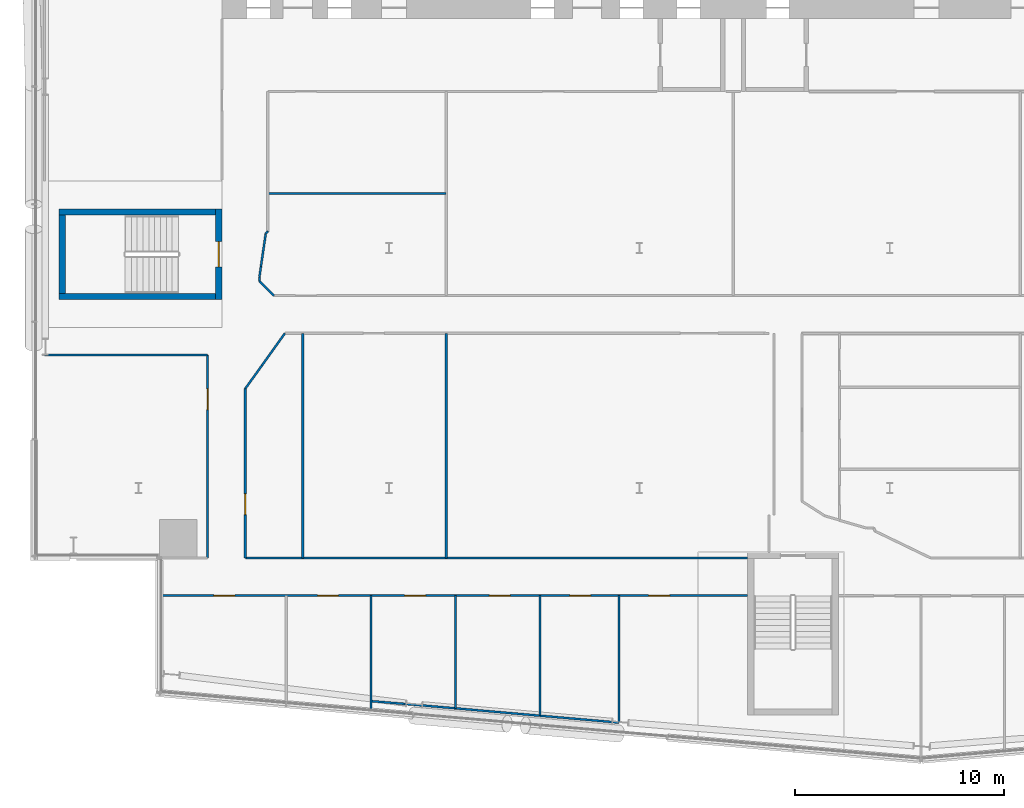
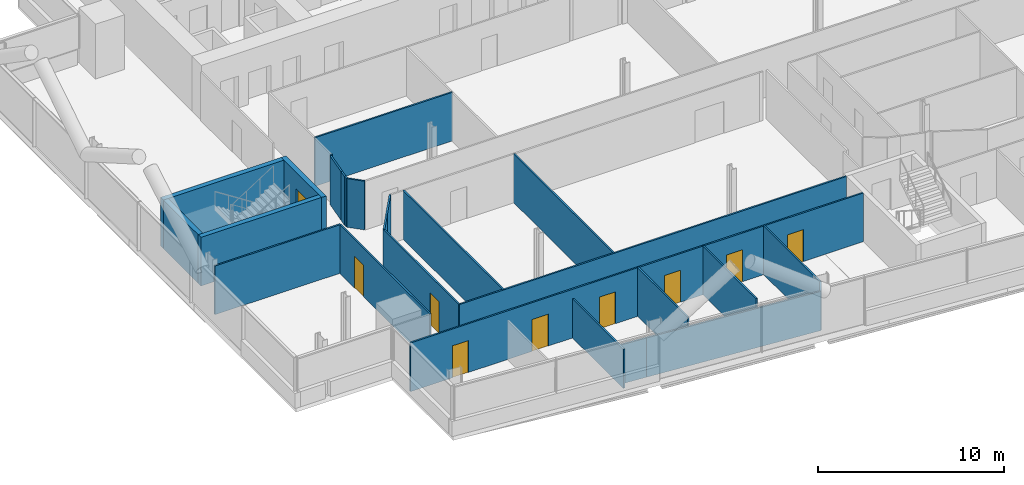
# One storey, part 14 of 27: 25 walls, 9 doors, 9 openings.
"""IFC4 building model written with IfcOpenShell, lengths in metres."""

from ifc_helpers import new_model, si_unit, direction, frame, frame_2d, origin, place, context, subcontext, project, spatial, rectangle, extrude, material, layer, layer_set, type_object, element, fill, save


model = new_model("IFC4")

# Units and contexts
model_context = context("Model", 3, precision=1e-05, world=origin(), true_north=direction((0.0, 1.0)))
body_context = subcontext(model_context, "Body", "Model", "MODEL_VIEW")
ifc_project = project(units=[si_unit("LENGTHUNIT", "METRE"), si_unit("AREAUNIT", "SQUARE_METRE"), si_unit("VOLUMEUNIT", "CUBIC_METRE"), si_unit("PLANEANGLEUNIT", "RADIAN"), si_unit("MASSUNIT", "GRAM", prefix="KILO")], contexts=[model_context])

# Site, building, storey
site_placement = place(None, origin())
site = spatial("IfcSite", under=ifc_project, at=site_placement, CompositionType="ELEMENT")
building_placement = place(site_placement, origin())
building = spatial("IfcBuilding", under=site, at=building_placement, Name="Wharfspan Tower", CompositionType="ELEMENT")
storey_placement = place(building_placement, frame((0.0, 0.0, 136.300049)))
storey = spatial("IfcBuildingStorey", under=building, at=storey_placement, Name="L32", CompositionType="ELEMENT", Elevation=136.300049)

# Wall
ifc_material_1 = material(Name="Gypsum board on steel studs", Category="steel")
ifc_layer_1 = layer(ifc_material_1, 0.100098)
ifc_layer_set_1 = layer_set([ifc_layer_1], Name="Gypsum board on steel studs")
wall_type_1 = type_object("IfcWallType", Name="Compartment wall 100 EI 60", PredefinedType="PARTITIONING", material=ifc_layer_set_1)
wall_1_placement = place(storey_placement, frame((7.51001, 17.86499, 0.0), z_axis=(0.0, 0.0, 1.0), x_axis=(1.0, 0.0, 0.0)))
element("IfcWall", 1, at=wall_1_placement, inside=storey, type_object=wall_type_1, Name="Partition L32.w001", PredefinedType="PARTITIONING", context=body_context, shape_type="SweptSolid", body=[
    extrude(rectangle(XDim=7.810059, YDim=0.100098, at=frame_2d((3.905029, 0.0))), origin(), (0.0, 0.0, 1.0), 3.199951),
])

# Wall, openings, doors
wall_2_placement = place(storey_placement, frame((13.02002, 6.344971, 0.0), z_axis=(0.0, 0.0, 1.0), x_axis=(1.0, 0.0, 0.0)))
wall_2 = element("IfcWall", 2, at=wall_2_placement, inside=storey, type_object=wall_type_1, Name="Partition L32.w003", PredefinedType="PARTITIONING", context=body_context, shape_type="SweptSolid", body=[
    extrude(rectangle(XDim=28.165283, YDim=0.100098, at=frame_2d((14.08252, 0.0))), origin(), (0.0, 0.0, 1.0), 3.199951),
])
opening_1_placement = place(wall_2_placement, frame((2.600098, 0.0, 0.0)))
opening_1 = element("IfcOpeningElement", 3, at=opening_1_placement, cuts=wall_2, Name="Opening B5-01", PredefinedType="OPENING", context=body_context, shape_type="SweptSolid", body=[
    extrude(rectangle(XDim=1.0, YDim=2.100098, at=frame_2d((0.5, 1.050049))), frame((0.0, 0.060059, 0.0), z_axis=(0.0, -1.0, 0.0), x_axis=(1.0, 0.0, 0.0)), (0.0, 0.0, 1.0), 0.120117),
])
opening_2_placement = place(wall_2_placement, frame((7.564941, 0.0, 0.0)))
opening_2 = element("IfcOpeningElement", 4, at=opening_2_placement, cuts=wall_2, Name="Opening B5-02", PredefinedType="OPENING", context=body_context, shape_type="SweptSolid", body=[
    extrude(rectangle(XDim=1.0, YDim=2.100098, at=frame_2d((0.5, 1.050049))), frame((0.0, 0.060059, 0.0), z_axis=(0.0, -1.0, 0.0), x_axis=(1.0, 0.0, 0.0)), (0.0, 0.0, 1.0), 0.120117),
])
opening_3_placement = place(wall_2_placement, frame((11.73999, 0.0, 0.0)))
opening_3 = element("IfcOpeningElement", 5, at=opening_3_placement, cuts=wall_2, Name="Opening B5-03", PredefinedType="OPENING", context=body_context, shape_type="SweptSolid", body=[
    extrude(rectangle(XDim=1.0, YDim=2.100098, at=frame_2d((0.5, 1.050049))), frame((0.0, 0.060059, 0.0), z_axis=(0.0, -1.0, 0.0), x_axis=(1.0, 0.0, 0.0)), (0.0, 0.0, 1.0), 0.120117),
])
opening_4_placement = place(wall_2_placement, frame((15.794922, 0.0, 0.0)))
opening_4 = element("IfcOpeningElement", 6, at=opening_4_placement, cuts=wall_2, Name="Opening B5-04", PredefinedType="OPENING", context=body_context, shape_type="SweptSolid", body=[
    extrude(rectangle(XDim=1.0, YDim=2.100098, at=frame_2d((0.5, 1.050049))), frame((0.0, 0.060059, 0.0), z_axis=(0.0, -1.0, 0.0), x_axis=(1.0, 0.0, 0.0)), (0.0, 0.0, 1.0), 0.120117),
])
opening_5_placement = place(wall_2_placement, frame((19.649902, 0.0, 0.0)))
opening_5 = element("IfcOpeningElement", 7, at=opening_5_placement, cuts=wall_2, Name="Opening B5-05", PredefinedType="OPENING", context=body_context, shape_type="SweptSolid", body=[
    extrude(rectangle(XDim=1.0, YDim=2.100098, at=frame_2d((0.5, 1.050049))), frame((0.0, 0.060059, 0.0), z_axis=(0.0, -1.0, 0.0), x_axis=(1.0, 0.0, 0.0)), (0.0, 0.0, 1.0), 0.120117),
])
opening_6_placement = place(wall_2_placement, frame((23.429932, 0.0, 0.0)))
opening_6 = element("IfcOpeningElement", 8, at=opening_6_placement, cuts=wall_2, Name="Opening B5-06", PredefinedType="OPENING", context=body_context, shape_type="SweptSolid", body=[
    extrude(rectangle(XDim=1.0, YDim=2.100098, at=frame_2d((0.5, 1.050049))), frame((0.0, 0.060059, 0.0), z_axis=(0.0, -1.0, 0.0), x_axis=(1.0, 0.0, 0.0)), (0.0, 0.0, 1.0), 0.120117),
])
ifc_material_2 = material(Name="Fire-rated timber door leaf in steel frame", Category="steel")
door_type_1 = type_object("IfcDoorType", Name="Door 1000 FD30S Left", OperationType="SINGLE_SWING_LEFT", PredefinedType="DOOR", material=ifc_material_2)
door_1_placement = place(opening_1_placement, origin())
door_1 = element("IfcDoor", 9, at=door_1_placement, inside=storey, type_object=door_type_1, Name="Door B5-01", OperationType="SINGLE_SWING_LEFT", OverallHeight=2.100098, OverallWidth=1.0, PredefinedType="DOOR", context=body_context, shape_type="SweptSolid", body=[
    extrude(rectangle(XDim=1.0, YDim=2.100098, at=frame_2d((0.5, 1.050049))), frame((0.0, 0.024902, 0.0), z_axis=(0.0, -1.0, 0.0), x_axis=(1.0, 0.0, 0.0)), (0.0, 0.0, 1.0), 0.050049),
])
fill(opening_1, door_1)
door_2_placement = place(opening_2_placement, origin())
door_2 = element("IfcDoor", 10, at=door_2_placement, inside=storey, type_object=door_type_1, Name="Door B5-02", OperationType="SINGLE_SWING_LEFT", OverallHeight=2.100098, OverallWidth=1.0, PredefinedType="DOOR", context=body_context, shape_type="SweptSolid", body=[
    extrude(rectangle(XDim=1.0, YDim=2.100098, at=frame_2d((0.5, 1.050049))), frame((0.0, 0.024902, 0.0), z_axis=(0.0, -1.0, 0.0), x_axis=(1.0, 0.0, 0.0)), (0.0, 0.0, 1.0), 0.050049),
])
fill(opening_2, door_2)
door_3_placement = place(opening_3_placement, origin())
door_3 = element("IfcDoor", 11, at=door_3_placement, inside=storey, type_object=door_type_1, Name="Door B5-03", OperationType="SINGLE_SWING_LEFT", OverallHeight=2.100098, OverallWidth=1.0, PredefinedType="DOOR", context=body_context, shape_type="SweptSolid", body=[
    extrude(rectangle(XDim=1.0, YDim=2.100098, at=frame_2d((0.5, 1.050049))), frame((0.0, 0.024902, 0.0), z_axis=(0.0, -1.0, 0.0), x_axis=(1.0, 0.0, 0.0)), (0.0, 0.0, 1.0), 0.050049),
])
fill(opening_3, door_3)
door_type_2 = type_object("IfcDoorType", Name="Door 1000 FD30S Right", OperationType="SINGLE_SWING_RIGHT", PredefinedType="DOOR", material=ifc_material_2)
door_4_placement = place(opening_4_placement, origin())
door_4 = element("IfcDoor", 12, at=door_4_placement, inside=storey, type_object=door_type_2, Name="Door B5-04", OperationType="SINGLE_SWING_RIGHT", OverallHeight=2.100098, OverallWidth=1.0, PredefinedType="DOOR", context=body_context, shape_type="SweptSolid", body=[
    extrude(rectangle(XDim=1.0, YDim=2.100098, at=frame_2d((0.5, 1.050049))), frame((0.0, 0.024902, 0.0), z_axis=(0.0, -1.0, 0.0), x_axis=(1.0, 0.0, 0.0)), (0.0, 0.0, 1.0), 0.050049),
])
fill(opening_4, door_4)
door_5_placement = place(opening_5_placement, origin())
door_5 = element("IfcDoor", 13, at=door_5_placement, inside=storey, type_object=door_type_2, Name="Door B5-05", OperationType="SINGLE_SWING_RIGHT", OverallHeight=2.100098, OverallWidth=1.0, PredefinedType="DOOR", context=body_context, shape_type="SweptSolid", body=[
    extrude(rectangle(XDim=1.0, YDim=2.100098, at=frame_2d((0.5, 1.050049))), frame((0.0, 0.024902, 0.0), z_axis=(0.0, -1.0, 0.0), x_axis=(1.0, 0.0, 0.0)), (0.0, 0.0, 1.0), 0.050049),
])
fill(opening_5, door_5)
door_6_placement = place(opening_6_placement, origin())
door_6 = element("IfcDoor", 14, at=door_6_placement, inside=storey, type_object=door_type_2, Name="Door B5-06", OperationType="SINGLE_SWING_RIGHT", OverallHeight=2.100098, OverallWidth=1.0, PredefinedType="DOOR", context=body_context, shape_type="SweptSolid", body=[
    extrude(rectangle(XDim=1.0, YDim=2.100098, at=frame_2d((0.5, 1.050049))), frame((0.0, 0.024902, 0.0), z_axis=(0.0, -1.0, 0.0), x_axis=(1.0, 0.0, 0.0)), (0.0, 0.0, 1.0), 0.050049),
])
fill(opening_6, door_6)

# Wall, opening, door
wall_3_placement = place(storey_placement, frame((15.320068, 8.149902, 0.0), z_axis=(0.0, 0.0, 1.0), x_axis=(0.0, 1.0, 0.0)))
wall_3 = element("IfcWall", 15, at=wall_3_placement, inside=storey, type_object=wall_type_1, Name="Partition L32.w005", PredefinedType="PARTITIONING", context=body_context, shape_type="SweptSolid", body=[
    extrude(rectangle(XDim=9.715088, YDim=0.100098, at=frame_2d((4.857422, 0.0))), origin(), (0.0, 0.0, 1.0), 3.199951),
])
opening_7_placement = place(wall_3_placement, frame((7.10498, 0.0, 0.0)))
opening_7 = element("IfcOpeningElement", 16, at=opening_7_placement, cuts=wall_3, Name="Opening B5-20", PredefinedType="OPENING", context=body_context, shape_type="SweptSolid", body=[
    extrude(rectangle(XDim=1.0, YDim=2.100098, at=frame_2d((0.5, 1.050049))), frame((0.0, 0.060059, 0.0), z_axis=(0.0, -1.0, 0.0), x_axis=(1.0, 0.0, 0.0)), (0.0, 0.0, 1.0), 0.120117),
])
door_7_placement = place(opening_7_placement, origin())
door_7 = element("IfcDoor", 17, at=door_7_placement, inside=storey, type_object=door_type_2, Name="Door B5-20", OperationType="SINGLE_SWING_RIGHT", OverallHeight=2.100098, OverallWidth=1.0, PredefinedType="DOOR", context=body_context, shape_type="SweptSolid", body=[
    extrude(rectangle(XDim=1.0, YDim=2.100098, at=frame_2d((0.5, 1.050049))), frame((0.0, 0.024902, 0.0), z_axis=(0.0, -1.0, 0.0), x_axis=(1.0, 0.0, 0.0)), (0.0, 0.0, 1.0), 0.050049),
])
fill(opening_7, door_7)

wall_4_placement = place(storey_placement, frame((17.120117, 8.149902, 0.0), z_axis=(0.0, 0.0, 1.0), x_axis=(0.0, 1.0, 0.0)))
wall_4 = element("IfcWall", 18, at=wall_4_placement, inside=storey, type_object=wall_type_1, Name="Partition L32.w007", PredefinedType="PARTITIONING", context=body_context, shape_type="SweptSolid", body=[
    extrude(rectangle(XDim=8.110107, YDim=0.100098, at=frame_2d((4.055176, 0.0))), origin(), (0.0, 0.0, 1.0), 3.199951),
])
opening_8_placement = place(wall_4_placement, frame((2.070068, 0.0, 0.0)))
opening_8 = element("IfcOpeningElement", 19, at=opening_8_placement, cuts=wall_4, Name="Opening B5-14", PredefinedType="OPENING", context=body_context, shape_type="SweptSolid", body=[
    extrude(rectangle(XDim=1.0, YDim=2.100098, at=frame_2d((0.5, 1.050049))), frame((0.0, 0.060059, 0.0), z_axis=(0.0, -1.0, 0.0), x_axis=(1.0, 0.0, 0.0)), (0.0, 0.0, 1.0), 0.120117),
])
door_8_placement = place(opening_8_placement, origin())
door_8 = element("IfcDoor", 20, at=door_8_placement, inside=storey, type_object=door_type_1, Name="Door B5-14", OperationType="SINGLE_SWING_LEFT", OverallHeight=2.100098, OverallWidth=1.0, PredefinedType="DOOR", context=body_context, shape_type="SweptSolid", body=[
    extrude(rectangle(XDim=1.0, YDim=2.100098, at=frame_2d((0.5, 1.050049))), frame((0.0, 0.024902, 0.0), z_axis=(0.0, -1.0, 0.0), x_axis=(1.0, 0.0, 0.0)), (0.0, 0.0, 1.0), 0.050049),
])
fill(opening_8, door_8)

# Walls
wall_5_placement = place(storey_placement, frame((17.120117, 8.149902, 0.0), z_axis=(0.0, 0.0, 1.0), x_axis=(1.0, 0.0, 0.0)))
element("IfcWall", 21, at=wall_5_placement, inside=storey, type_object=wall_type_1, Name="Partition L32.w008", PredefinedType="PARTITIONING", context=body_context, shape_type="SweptSolid", body=[
    extrude(rectangle(XDim=24.065186, YDim=0.100098, at=frame_2d((12.032715, 0.0))), origin(), (0.0, 0.0, 1.0), 3.199951),
])
wall_6_placement = place(storey_placement, frame((17.120117, 16.26001, 0.0), z_axis=(0.0, 0.0, 1.0), x_axis=(0.583811, 0.811893, 0.0)))
element("IfcWall", 22, at=wall_6_placement, inside=storey, type_object=wall_type_1, Name="Partition L32.w009", PredefinedType="PARTITIONING", context=body_context, shape_type="SweptSolid", body=[
    extrude(rectangle(XDim=1.36377, YDim=0.100098, at=frame_2d((0.681885, 0.0))), origin(), (0.0, 0.0, 1.0), 3.199951),
])
wall_7_placement = place(storey_placement, frame((17.800049, 21.419922, 0.0), z_axis=(0.0, 0.0, 1.0), x_axis=(0.0, 1.0, 0.0)))
element("IfcWall", 23, at=wall_7_placement, inside=storey, type_object=wall_type_1, Name="Partition L32.w010", PredefinedType="PARTITIONING", context=body_context, shape_type="SweptSolid", body=[
    extrude(rectangle(XDim=0.200195, YDim=0.100098, at=frame_2d((0.100098, 0.0))), origin(), (0.0, 0.0, 1.0), 3.199951),
])
wall_8_placement = place(storey_placement, frame((17.800049, 21.620117, 0.0), z_axis=(0.0, 0.0, 1.0), x_axis=(0.141559, 0.989927, 0.0)))
element("IfcWall", 24, at=wall_8_placement, inside=storey, type_object=wall_type_1, Name="Partition L32.w011", PredefinedType="PARTITIONING", context=body_context, shape_type="SweptSolid", body=[
    extrude(rectangle(XDim=0.494873, YDim=0.100098, at=frame_2d((0.247559, 0.0))), origin(), (0.0, 0.0, 1.0), 3.199951),
])
wall_9_placement = place(storey_placement, frame((17.870117, 22.110107, 0.0), z_axis=(0.0, 0.0, 1.0), x_axis=(0.145396, 0.989372, 0.0)))
element("IfcWall", 25, at=wall_9_placement, inside=storey, type_object=wall_type_1, Name="Partition L32.w012", PredefinedType="PARTITIONING", context=body_context, shape_type="SweptSolid", body=[
    extrude(rectangle(XDim=1.581787, YDim=0.100098, at=frame_2d((0.791016, 0.0))), origin(), (0.0, 0.0, 1.0), 3.199951),
])
wall_10_placement = place(storey_placement, frame((17.915039, 17.36499, 0.0), z_axis=(0.0, 0.0, 1.0), x_axis=(0.580403, 0.814333, 0.0)))
element("IfcWall", 26, at=wall_10_placement, inside=storey, type_object=wall_type_1, Name="Partition L32.w013", PredefinedType="PARTITIONING", context=body_context, shape_type="SweptSolid", body=[
    extrude(rectangle(XDim=1.904541, YDim=0.100098, at=frame_2d((0.952148, 0.0))), origin(), (0.0, 0.0, 1.0), 3.199951),
])
wall_11_placement = place(storey_placement, frame((18.100098, 23.685059, 0.0), z_axis=(0.0, 0.0, 1.0), x_axis=(0.65566, 0.755051, 0.0)))
element("IfcWall", 27, at=wall_11_placement, inside=storey, type_object=wall_type_1, Name="Partition L32.w014", PredefinedType="PARTITIONING", context=body_context, shape_type="SweptSolid", body=[
    extrude(rectangle(XDim=0.152344, YDim=0.100098, at=frame_2d((0.076172, 0.0))), origin(), (0.0, 0.0, 1.0), 3.199951),
])
wall_12_placement = place(storey_placement, frame((18.199951, 25.60498, 0.0), z_axis=(0.0, 0.0, 1.0), x_axis=(1.0, 0.0, 0.0)))
element("IfcWall", 28, at=wall_12_placement, inside=storey, type_object=wall_type_1, Name="Partition L32.w016", PredefinedType="PARTITIONING", context=body_context, shape_type="SweptSolid", body=[
    extrude(rectangle(XDim=8.550049, YDim=0.100098, at=frame_2d((4.274902, 0.0))), origin(), (0.0, 0.0, 1.0), 3.199951),
])
wall_13_placement = place(storey_placement, frame((18.504883, 20.715088, 0.0), z_axis=(0.0, 0.0, 1.0), x_axis=(-0.707107, 0.707107, 0.0)))
element("IfcWall", 29, at=wall_13_placement, inside=storey, type_object=wall_type_1, Name="Partition L32.w018", PredefinedType="PARTITIONING", context=body_context, shape_type="SweptSolid", body=[
    extrude(rectangle(XDim=0.996826, YDim=0.100098, at=frame_2d((0.498535, 0.0))), origin(), (0.0, 0.0, 1.0), 3.199951),
])
wall_14_placement = place(storey_placement, frame((19.875, 8.149902, 0.0), z_axis=(0.0, 0.0, 1.0), x_axis=(0.0, 1.0, 0.0)))
element("IfcWall", 30, at=wall_14_placement, inside=storey, type_object=wall_type_1, Name="Partition L32.w022", PredefinedType="PARTITIONING", context=body_context, shape_type="SweptSolid", body=[
    extrude(rectangle(XDim=10.765137, YDim=0.100098, at=frame_2d((5.382568, 0.0))), origin(), (0.0, 0.0, 1.0), 3.199951),
])
wall_15_placement = place(storey_placement, frame((23.139893, 0.824951, 0.0), z_axis=(0.0, 0.0, 1.0), x_axis=(0.0, 1.0, 0.0)))
element("IfcWall", 31, at=wall_15_placement, inside=storey, type_object=wall_type_1, Name="Partition L32.w023", PredefinedType="PARTITIONING", context=body_context, shape_type="SweptSolid", body=[
    extrude(rectangle(XDim=5.52002, YDim=0.100098, at=frame_2d((2.76001, 0.0))), origin(), (0.0, 0.0, 1.0), 2.579834),
])
wall_16_placement = place(storey_placement, frame((26.75, 8.149902, 0.0), z_axis=(0.0, 0.0, 1.0), x_axis=(0.0, 1.0, 0.0)))
element("IfcWall", 32, at=wall_16_placement, inside=storey, type_object=wall_type_1, Name="Partition L32.w026", PredefinedType="PARTITIONING", context=body_context, shape_type="SweptSolid", body=[
    extrude(rectangle(XDim=10.765137, YDim=0.100098, at=frame_2d((5.382568, 0.0))), origin(), (0.0, 0.0, 1.0), 3.199951),
])
wall_17_placement = place(storey_placement, frame((27.195068, 0.945068, 0.0), z_axis=(0.0, 0.0, 1.0), x_axis=(0.0, 1.0, 0.0)))
element("IfcWall", 33, at=wall_17_placement, inside=storey, type_object=wall_type_1, Name="Partition L32.w028", PredefinedType="PARTITIONING", context=body_context, shape_type="SweptSolid", body=[
    extrude(rectangle(XDim=5.399902, YDim=0.100098, at=frame_2d((2.699951, 0.0))), origin(), (0.0, 0.0, 1.0), 3.199951),
])
wall_18_placement = place(storey_placement, frame((31.25, 0.590088, 0.0), z_axis=(0.0, 0.0, 1.0), x_axis=(0.0, 1.0, 0.0)))
element("IfcWall", 34, at=wall_18_placement, inside=storey, type_object=wall_type_1, Name="Partition L32.w029", PredefinedType="PARTITIONING", context=body_context, shape_type="SweptSolid", body=[
    extrude(rectangle(XDim=5.754883, YDim=0.100098, at=frame_2d((2.877441, 0.0))), origin(), (0.0, 0.0, 1.0), 3.199951),
])
wall_19_placement = place(storey_placement, frame((35.030029, 0.26001, 0.0), z_axis=(0.0, 0.0, 1.0), x_axis=(0.0, 1.0, 0.0)))
element("IfcWall", 35, at=wall_19_placement, inside=storey, type_object=wall_type_1, Name="Partition L32.w030", PredefinedType="PARTITIONING", context=body_context, shape_type="SweptSolid", body=[
    extrude(rectangle(XDim=6.084961, YDim=0.100098, at=frame_2d((3.04248, 0.0))), origin(), (0.0, 0.0, 1.0), 3.199951),
])
ifc_layer_2 = layer(ifc_material_1, 0.100098)
ifc_layer_set_2 = layer_set([ifc_layer_2], Name="Gypsum board on steel studs")
wall_type_2 = type_object("IfcWallType", Name="Partition 100", PredefinedType="PARTITIONING", material=ifc_layer_set_2)
wall_20_placement = place(storey_placement, frame((24.715088, 1.159912, 0.0), z_axis=(0.0, 0.0, 1.0), x_axis=(-0.996654, 0.081685, 0.0)))
element("IfcWall", 36, at=wall_20_placement, inside=storey, type_object=wall_type_2, Name="Partition L32.w025", PredefinedType="PARTITIONING", context=body_context, shape_type="SweptSolid", body=[
    extrude(rectangle(XDim=1.530273, YDim=0.100098, at=frame_2d((0.765137, 0.0))), origin(), (0.0, 0.0, 1.0), 2.579834),
])
wall_21_placement = place(storey_placement, frame((35.030029, 0.26001, 0.0), z_axis=(0.0, 0.0, 1.0), x_axis=(-0.996214, 0.086976, 0.0)))
element("IfcWall", 37, at=wall_21_placement, inside=storey, type_object=wall_type_2, Name="Partition L32.w031", PredefinedType="PARTITIONING", context=body_context, shape_type="SweptSolid", body=[
    extrude(rectangle(XDim=10.352295, YDim=0.100098, at=frame_2d((5.17627, 0.0))), origin(), (0.0, 0.0, 1.0), 2.579834),
])

# Wall, opening, door
ifc_material_3 = material(Name="Concrete C40/50", Category="concrete")
ifc_layer_3 = layer(ifc_material_3, 0.300049)
ifc_layer_set_3 = layer_set([ifc_layer_3], Name="Concrete C40/50")
wall_type_3 = type_object("IfcWallType", Name="Stair core wall 300", PredefinedType="SHEAR", material=ifc_layer_set_3)
wall_22_placement = place(storey_placement, frame((15.850098, 20.524902, 0.0), z_axis=(0.0, 0.0, 1.0), x_axis=(0.0, 1.0, 0.0)))
wall_22 = element("IfcWall", 38, at=wall_22_placement, inside=storey, type_object=wall_type_3, Name="ST3 stair enclosure wall L32", PredefinedType="SHEAR", context=body_context, shape_type="SweptSolid", body=[
    extrude(rectangle(XDim=4.350098, YDim=0.300049, at=frame_2d((2.175049, 0.0))), origin(), (0.0, 0.0, 1.0), 3.199951),
])
opening_9_placement = place(wall_22_placement, frame((1.574951, 0.0, 0.0)))
opening_9 = element("IfcOpeningElement", 39, at=opening_9_placement, cuts=wall_22, Name="Opening SD3.L32", PredefinedType="OPENING", context=body_context, shape_type="SweptSolid", body=[
    extrude(rectangle(XDim=1.199951, YDim=2.100098, at=frame_2d((0.600098, 1.050049))), frame((0.0, 0.159912, 0.0), z_axis=(0.0, -1.0, 0.0), x_axis=(1.0, 0.0, 0.0)), (0.0, 0.0, 1.0), 0.320068),
])
ifc_material_4 = material(Name="Steel door leaf", Category="steel")
door_type_3 = type_object("IfcDoorType", Name="Stair door 1200x2100", OperationType="SINGLE_SWING_LEFT", PredefinedType="DOOR", material=ifc_material_4)
door_9_placement = place(opening_9_placement, origin())
door_9 = element("IfcDoor", 40, at=door_9_placement, inside=storey, type_object=door_type_3, Name="sd:L32:ST3z2", OperationType="SINGLE_SWING_RIGHT", OverallHeight=2.100098, OverallWidth=1.199951, PredefinedType="DOOR", context=body_context, shape_type="SweptSolid", body=[
    extrude(rectangle(XDim=1.199951, YDim=2.100098, at=frame_2d((0.600098, 1.050049))), frame((0.0, 0.024902, 0.0), z_axis=(0.0, -1.0, 0.0), x_axis=(1.0, 0.0, 0.0)), (0.0, 0.0, 1.0), 0.050049),
])
fill(opening_9, door_9)

# Walls
for number, where, z_axis, x_axis, name in (
    (41, (8.199951, 20.675049, 0.0), (0.0, 0.0, 1.0), (1.0, 0.0, 0.0), "ST3 stair enclosure wall L32"),
    (42, (8.199951, 24.725098, 0.0), (0.0, 0.0, 1.0), (1.0, 0.0, 0.0), "ST3 stair enclosure wall L32"),
):
    element("IfcWall", number, at=place(storey_placement, frame(where, z_axis=z_axis, x_axis=x_axis)), inside=storey, type_object=wall_type_3, Name=name, PredefinedType="SHEAR", context=body_context, shape_type="SweptSolid", body=[
        extrude(rectangle(XDim=7.5, YDim=0.300049, at=frame_2d((3.75, 0.0))), origin(), (0.0, 0.0, 1.0), 3.199951),
    ])
wall_23_placement = place(storey_placement, frame((8.350098, 20.824951, 0.0), z_axis=(0.0, 0.0, 1.0), x_axis=(0.0, 1.0, 0.0)))
element("IfcWall", 43, at=wall_23_placement, inside=storey, type_object=wall_type_3, Name="ST3 stair enclosure wall L32", PredefinedType="SHEAR", context=body_context, shape_type="SweptSolid", body=[
    extrude(rectangle(XDim=3.75, YDim=0.300049, at=frame_2d((1.875, 0.0))), origin(), (0.0, 0.0, 1.0), 3.199951),
])

save(model, "model.ifc")
